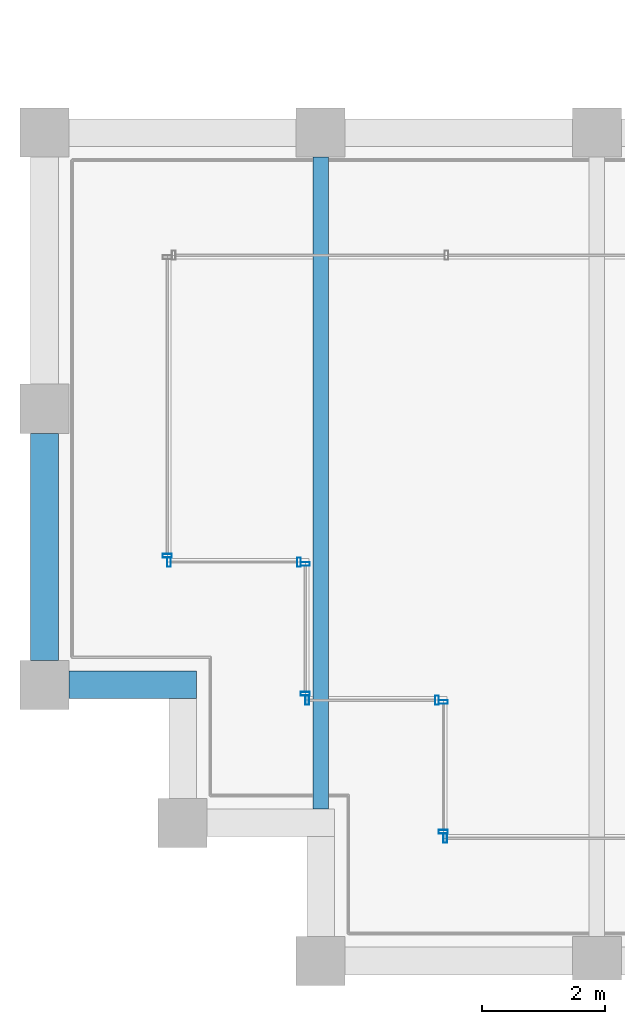
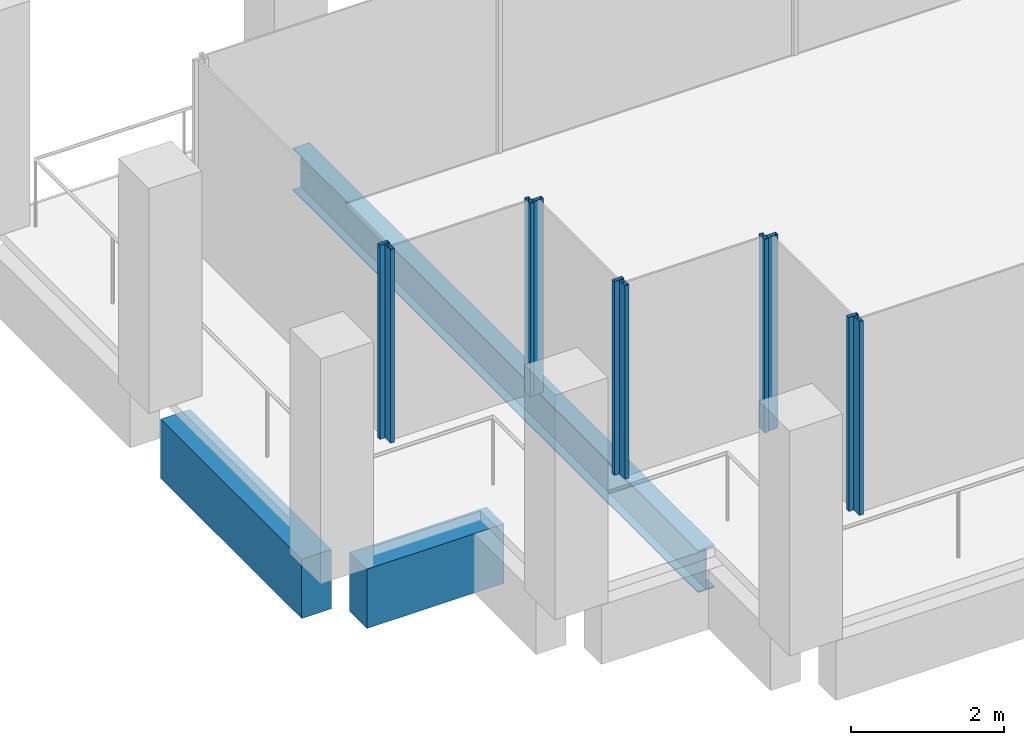
# One storey, part 2 of 30: 10 members, 3 beams, 6 elements without a shape of their own.
"""IFC4 building model written with IfcOpenShell, lengths in metres."""

from ifc_helpers import new_model, si_unit, direction, frame, origin, origin_2d, place, context, subcontext, project, spatial, rectangle, hollow_rectangle, i_section, extrude, material, material_profile, profile_set, type_object, element, aggregate, save


model = new_model("IFC4")

# Units and contexts
model_context = context("Model", 3, precision=1e-05, world=origin(), true_north=direction((0.0, 1.0)))
body_context = subcontext(model_context, "Body", "Model", "MODEL_VIEW")
ifc_project = project(units=[si_unit("LENGTHUNIT", "METRE"), si_unit("AREAUNIT", "SQUARE_METRE"), si_unit("VOLUMEUNIT", "CUBIC_METRE"), si_unit("PLANEANGLEUNIT", "RADIAN"), si_unit("MASSUNIT", "GRAM", prefix="KILO")], contexts=[model_context])

# Site, building, storey
site_placement = place(None, origin())
site = spatial("IfcSite", under=ifc_project, at=site_placement, CompositionType="ELEMENT")
building_placement = place(site_placement, origin())
building = spatial("IfcBuilding", under=site, at=building_placement, Name="Altepetl Exchange Towers", CompositionType="ELEMENT")
storey_placement = place(building_placement, frame((0.0, 0.0, 242.39990234375)))
storey = spatial("IfcBuildingStorey", under=building, at=storey_placement, Name="L62", CompositionType="ELEMENT", Elevation=242.39990234375)

# Beam
ifc_material_1 = material(Name="Steel S355", Category="steel")
ifc_material_profile_1 = material_profile(ifc_material_1, i_section(OverallWidth=0.2529296875, OverallDepth=0.677978515625, WebThickness=0.01171875, FlangeThickness=0.016357421875, at=origin_2d()), Name="W27X84")
ifc_profile_set_1 = profile_set([ifc_material_profile_1], Name="Steel S355")
beam_type_1 = type_object("IfcBeamType", Name="Floor beam W27X84", PredefinedType="BEAM", material=ifc_profile_set_1)
beam_1_placement = place(storey_placement, frame((31.5, 29.47509765625, -0.489013671875), z_axis=(0.0, 1.0, 0.0), x_axis=(-1.0, 0.0, 0.0)))
element("IfcBeam", 1, at=beam_1_placement, inside=storey, type_object=beam_type_1, Name="bm:A:L62:012", PredefinedType="BEAM", context=body_context, shape_type="SweptSolid", body=[
    extrude(i_section(OverallWidth=0.2529296875, OverallDepth=0.677978515625, WebThickness=0.01171875, FlangeThickness=0.016357421875, at=origin_2d()), origin(), (0.0, 0.0, 1.0), 10.625),
])

# Curtain wall, member
ifc_material_2 = material(Name="Aluminium 6063-T6 glazing", Category="aluminium")
curtain_wall_type = type_object("IfcCurtainWallType", Name="Loggia glazing system", PredefinedType="NOTDEFINED", material=ifc_material_2)
curtain_wall_1_placement = place(storey_placement, origin())
curtain_wall_1 = element("IfcCurtainWall", 2, at=curtain_wall_1_placement, inside=storey, type_object=curtain_wall_type, Name="CW1 run", PredefinedType="NOTDEFINED")
ifc_material_3 = material(Name="Aluminium 6063-T6", Category="aluminium")
ifc_material_profile_2 = material_profile(ifc_material_3, hollow_rectangle(XDim=0.06005859375, YDim=0.14990234375, WallThickness=0.0029296875, at=origin_2d()), Name="Mullion 60x150 aluminium")
ifc_profile_set_2 = profile_set([ifc_material_profile_2], Name="Aluminium 6063-T6")
member_type = type_object("IfcMemberType", Name="Mullion 60x150 aluminium", PredefinedType="MULLION", material=ifc_profile_set_2)
member_1_placement = place(storey_placement, frame((29.0, 33.60498046875, 0.0), z_axis=(0.0, 0.0, 1.0), x_axis=(0.0, -1.0, 0.0)))
member_1 = element("IfcMember", 3, at=member_1_placement, type_object=member_type, Name="MU1 mullion", PredefinedType="MULLION", context=body_context, shape_type="SweptSolid", body=[
    extrude(hollow_rectangle(XDim=0.06005859375, YDim=0.14990234375, WallThickness=0.0029296875, at=origin_2d()), origin(), (0.0, 0.0, 1.0), 3.10009765625),
])
aggregate(curtain_wall_1, [member_1])

# Curtain wall, members
curtain_wall_2_placement = place(storey_placement, origin())
curtain_wall_2 = element("IfcCurtainWall", 4, at=curtain_wall_2_placement, inside=storey, type_object=curtain_wall_type, Name="CW1 run", PredefinedType="NOTDEFINED")
member_2_placement = place(storey_placement, frame((29.030029296875, 33.5, 0.0)))
member_2 = element("IfcMember", 5, at=member_2_placement, type_object=member_type, Name="MU1 mullion", PredefinedType="MULLION", context=body_context, shape_type="SweptSolid", body=[
    extrude(hollow_rectangle(XDim=0.06005859375, YDim=0.14990234375, WallThickness=0.0029296875, at=origin_2d()), origin(), (0.0, 0.0, 1.0), 3.10009765625),
])
member_3_placement = place(storey_placement, frame((31.14501953125, 33.5, 0.0)))
member_3 = element("IfcMember", 6, at=member_3_placement, type_object=member_type, Name="MU1 mullion", PredefinedType="MULLION", context=body_context, shape_type="SweptSolid", body=[
    extrude(hollow_rectangle(XDim=0.06005859375, YDim=0.14990234375, WallThickness=0.0029296875, at=origin_2d()), origin(), (0.0, 0.0, 1.0), 3.10009765625),
])
aggregate(curtain_wall_2, [member_2, member_3])

curtain_wall_3_placement = place(storey_placement, origin())
curtain_wall_3 = element("IfcCurtainWall", 7, at=curtain_wall_3_placement, inside=storey, type_object=curtain_wall_type, Name="CW1 run", PredefinedType="NOTDEFINED")
member_4_placement = place(storey_placement, frame((31.25, 33.469970703125, 0.0), z_axis=(0.0, 0.0, 1.0), x_axis=(0.0, -1.0, 0.0)))
member_4 = element("IfcMember", 8, at=member_4_placement, type_object=member_type, Name="MU1 mullion", PredefinedType="MULLION", context=body_context, shape_type="SweptSolid", body=[
    extrude(hollow_rectangle(XDim=0.06005859375, YDim=0.14990234375, WallThickness=0.0029296875, at=origin_2d()), origin(), (0.0, 0.0, 1.0), 3.10009765625),
])
member_5_placement = place(storey_placement, frame((31.25, 31.35498046875, 0.0), z_axis=(0.0, 0.0, 1.0), x_axis=(0.0, -1.0, 0.0)))
member_5 = element("IfcMember", 9, at=member_5_placement, type_object=member_type, Name="MU1 mullion", PredefinedType="MULLION", context=body_context, shape_type="SweptSolid", body=[
    extrude(hollow_rectangle(XDim=0.06005859375, YDim=0.14990234375, WallThickness=0.0029296875, at=origin_2d()), origin(), (0.0, 0.0, 1.0), 3.10009765625),
])
aggregate(curtain_wall_3, [member_4, member_5])

curtain_wall_4_placement = place(storey_placement, origin())
curtain_wall_4 = element("IfcCurtainWall", 10, at=curtain_wall_4_placement, inside=storey, type_object=curtain_wall_type, Name="CW1 run", PredefinedType="NOTDEFINED")
member_6_placement = place(storey_placement, frame((31.280029296875, 31.25, 0.0)))
member_6 = element("IfcMember", 11, at=member_6_placement, type_object=member_type, Name="MU1 mullion", PredefinedType="MULLION", context=body_context, shape_type="SweptSolid", body=[
    extrude(hollow_rectangle(XDim=0.06005859375, YDim=0.14990234375, WallThickness=0.0029296875, at=origin_2d()), origin(), (0.0, 0.0, 1.0), 3.10009765625),
])
member_7_placement = place(storey_placement, frame((33.39501953125, 31.25, 0.0)))
member_7 = element("IfcMember", 12, at=member_7_placement, type_object=member_type, Name="MU1 mullion", PredefinedType="MULLION", context=body_context, shape_type="SweptSolid", body=[
    extrude(hollow_rectangle(XDim=0.06005859375, YDim=0.14990234375, WallThickness=0.0029296875, at=origin_2d()), origin(), (0.0, 0.0, 1.0), 3.10009765625),
])
aggregate(curtain_wall_4, [member_6, member_7])

curtain_wall_5_placement = place(storey_placement, origin())
curtain_wall_5 = element("IfcCurtainWall", 13, at=curtain_wall_5_placement, inside=storey, type_object=curtain_wall_type, Name="CW1 run", PredefinedType="NOTDEFINED")
member_8_placement = place(storey_placement, frame((33.5, 31.219970703125, 0.0), z_axis=(0.0, 0.0, 1.0), x_axis=(0.0, -1.0, 0.0)))
member_8 = element("IfcMember", 14, at=member_8_placement, type_object=member_type, Name="MU1 mullion", PredefinedType="MULLION", context=body_context, shape_type="SweptSolid", body=[
    extrude(hollow_rectangle(XDim=0.06005859375, YDim=0.14990234375, WallThickness=0.0029296875, at=origin_2d()), origin(), (0.0, 0.0, 1.0), 3.10009765625),
])
member_9_placement = place(storey_placement, frame((33.5, 29.10498046875, 0.0), z_axis=(0.0, 0.0, 1.0), x_axis=(0.0, -1.0, 0.0)))
member_9 = element("IfcMember", 15, at=member_9_placement, type_object=member_type, Name="MU1 mullion", PredefinedType="MULLION", context=body_context, shape_type="SweptSolid", body=[
    extrude(hollow_rectangle(XDim=0.06005859375, YDim=0.14990234375, WallThickness=0.0029296875, at=origin_2d()), origin(), (0.0, 0.0, 1.0), 3.10009765625),
])
aggregate(curtain_wall_5, [member_8, member_9])

# Curtain wall, member
curtain_wall_6_placement = place(storey_placement, origin())
curtain_wall_6 = element("IfcCurtainWall", 16, at=curtain_wall_6_placement, inside=storey, type_object=curtain_wall_type, Name="CW1 run", PredefinedType="NOTDEFINED")
member_10_placement = place(storey_placement, frame((33.530029296875, 29.0, 0.0)))
member_10 = element("IfcMember", 17, at=member_10_placement, type_object=member_type, Name="MU1 mullion", PredefinedType="MULLION", context=body_context, shape_type="SweptSolid", body=[
    extrude(hollow_rectangle(XDim=0.06005859375, YDim=0.14990234375, WallThickness=0.0029296875, at=origin_2d()), origin(), (0.0, 0.0, 1.0), 3.10009765625),
])
aggregate(curtain_wall_6, [member_10])

# Beams
ifc_material_4 = material(Name="Concrete C50/60 precast with cantera blanca facing", Category="concrete")
ifc_material_profile_3 = material_profile(ifc_material_4, rectangle(XDim=0.449951171875, YDim=0.949951171875, at=origin_2d()), Name="450 x 950")
ifc_profile_set_3 = profile_set([ifc_material_profile_3], Name="Concrete C50/60 precast with cantera blanca facing")
beam_type_2 = type_object("IfcBeamType", Name="Spandrel beam 450x950 cantera blanca", PredefinedType="SPANDREL", material=ifc_profile_set_3)
beam_2_placement = place(storey_placement, frame((27.0, 35.60009765625, -0.625), z_axis=(0.0, -1.0, 0.0), x_axis=(1.0, 0.0, 0.0)))
element("IfcBeam", 18, at=beam_2_placement, inside=storey, type_object=beam_type_2, Name="sp:A:L62:037", PredefinedType="SPANDREL", context=body_context, shape_type="SweptSolid", body=[
    extrude(rectangle(XDim=0.449951171875, YDim=0.949951171875, at=origin_2d()), origin(), (0.0, 0.0, 1.0), 3.7001953125),
])
beam_3_placement = place(storey_placement, frame((27.39990234375, 31.5, -0.625), z_axis=(1.0, 0.0, 0.0), x_axis=(0.0, 1.0, 0.0)))
element("IfcBeam", 19, at=beam_3_placement, inside=storey, type_object=beam_type_2, Name="sp:A:L62:038", PredefinedType="SPANDREL", context=body_context, shape_type="SweptSolid", body=[
    extrude(rectangle(XDim=0.449951171875, YDim=0.949951171875, at=origin_2d()), origin(), (0.0, 0.0, 1.0), 2.0751953125),
])

save(model, "model.ifc")
